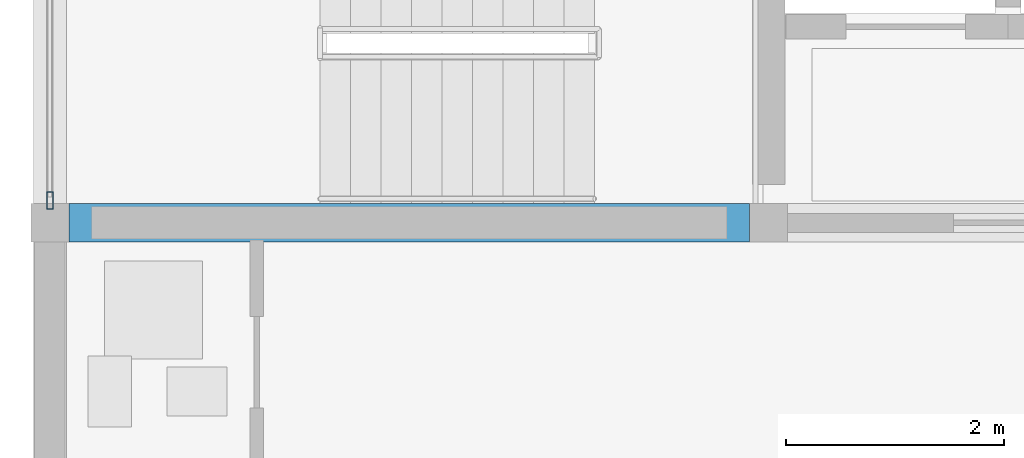
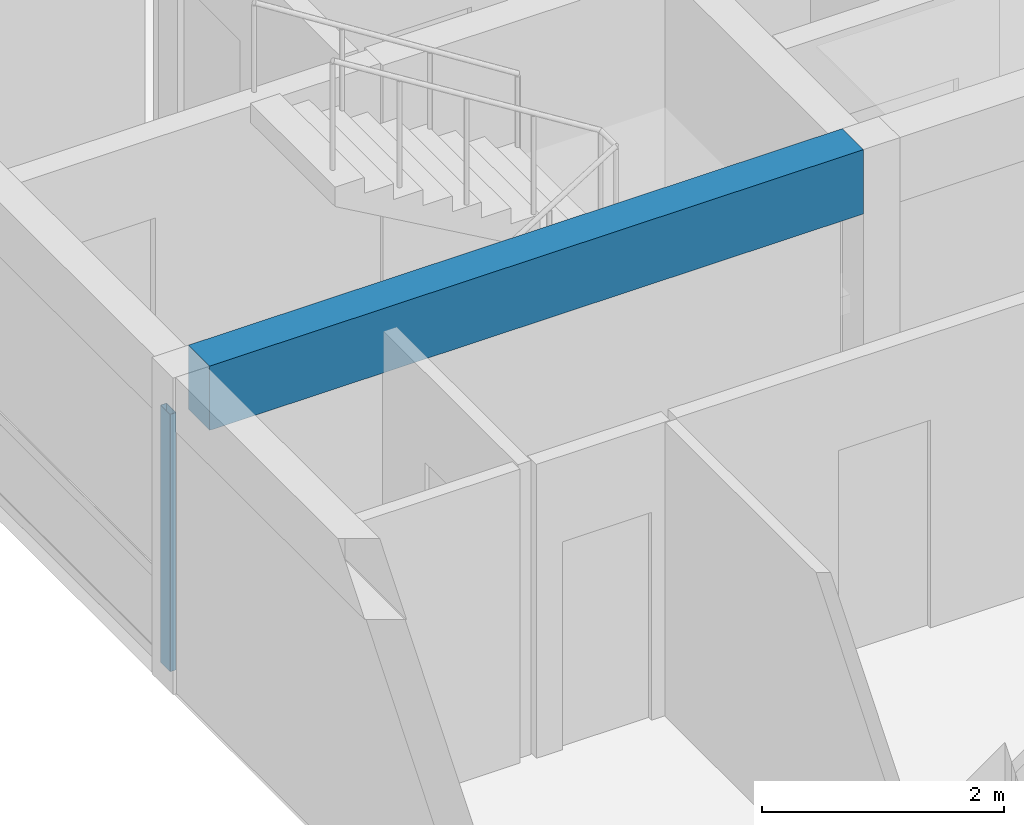
# One storey, part 4 of 46: 1 beam, 1 member, 1 element without a shape of its own.
"""IFC4 building model written with IfcOpenShell, lengths in metres."""

from ifc_helpers import new_model, si_unit, direction, frame, origin, origin_2d, place, context, subcontext, project, spatial, rectangle, hollow_rectangle, extrude, material, material_profile, profile_set, type_object, element, aggregate, save


model = new_model("IFC4")

# Units and contexts
model_context = context("Model", 3, precision=1e-05, world=origin(), true_north=direction((0.0, 1.0)))
body_context = subcontext(model_context, "Body", "Model", "MODEL_VIEW")
ifc_project = project(units=[si_unit("LENGTHUNIT", "METRE"), si_unit("AREAUNIT", "SQUARE_METRE"), si_unit("VOLUMEUNIT", "CUBIC_METRE"), si_unit("PLANEANGLEUNIT", "RADIAN"), si_unit("MASSUNIT", "GRAM", prefix="KILO")], contexts=[model_context])

# Site, building, storey
site_placement = place(None, origin())
site = spatial("IfcSite", under=ifc_project, at=site_placement, CompositionType="ELEMENT")
building_placement = place(site_placement, origin())
building = spatial("IfcBuilding", under=site, at=building_placement, Name="Kernevlak Ridge Housing Community", CompositionType="ELEMENT")
storey_placement = place(building_placement, frame((0.0, 0.0, 27.60009765625)))
storey = spatial("IfcBuildingStorey", under=building, at=storey_placement, Name="L08", CompositionType="ELEMENT", Elevation=27.60009765625)

# Beam
ifc_material_1 = material(Name="Concrete C35/45", Category="concrete")
ifc_material_profile_1 = material_profile(ifc_material_1, rectangle(XDim=0.35009765625, YDim=0.64990234375, at=origin_2d()), Name="RC 350x650")
ifc_profile_set_1 = profile_set([ifc_material_profile_1], Name="Concrete C35/45")
beam_type = type_object("IfcBeamType", Name="B-02", PredefinedType="BEAM", material=ifc_profile_set_1)
beam_placement = place(storey_placement, frame((15.77490234375, 22.199951171875, 2.875), z_axis=(1.0, 0.0, 0.0), x_axis=(0.0, 1.0, 0.0)))
element("IfcBeam", 1, at=beam_placement, inside=storey, type_object=beam_type, Name="Beam B-02 L08 1501", PredefinedType="BEAM", context=body_context, shape_type="SweptSolid", body=[
    extrude(rectangle(XDim=0.35009765625, YDim=0.64990234375, at=origin_2d()), origin(), (0.0, 0.0, 1.0), 6.25),
])

# Curtain wall, member
ifc_material_2 = material(Name="Aluminium EN AW-6060 anodised and laminated glass", Category="aluminium")
curtain_wall_type = type_object("IfcCurtainWallType", Name="CW-10", PredefinedType="NOTDEFINED", material=ifc_material_2)
curtain_wall_placement = place(storey_placement, origin())
curtain_wall = element("IfcCurtainWall", 2, at=curtain_wall_placement, inside=storey, type_object=curtain_wall_type, Name="Curtain wall CW-10 CW-L08-163", PredefinedType="NOTDEFINED")
ifc_material_3 = material(Name="Aluminium EN AW-6060 anodised", Category="aluminium")
ifc_material_profile_2 = material_profile(ifc_material_3, hollow_rectangle(XDim=0.06005859375, YDim=0.159912109375, WallThickness=0.00390625, InnerFilletRadius=0.001953125, OuterFilletRadius=0.00390625, at=origin_2d()), Name="ALU 60x160x4")
ifc_profile_set_2 = profile_set([ifc_material_profile_2], Name="Aluminium EN AW-6060 anodised")
member_type = type_object("IfcMemberType", Name="MU-02", PredefinedType="MULLION", material=ifc_profile_set_2)
member_placement = place(storey_placement, frame((15.60009765625, 22.405029296875, 0.0), z_axis=(0.0, 0.0, 1.0), x_axis=(-1.0, 0.0, 0.0)))
member = element("IfcMember", 3, at=member_placement, type_object=member_type, Name="CW-10 mullion 1", PredefinedType="MULLION", context=body_context, shape_type="SweptSolid", body=[
    extrude(hollow_rectangle(XDim=0.06005859375, YDim=0.159912109375, WallThickness=0.00390625, InnerFilletRadius=0.001953125, OuterFilletRadius=0.00390625, at=origin_2d()), origin(), (0.0, 0.0, 1.0), 2.599853515625),
])
aggregate(curtain_wall, [member])

save(model, "model.ifc")
